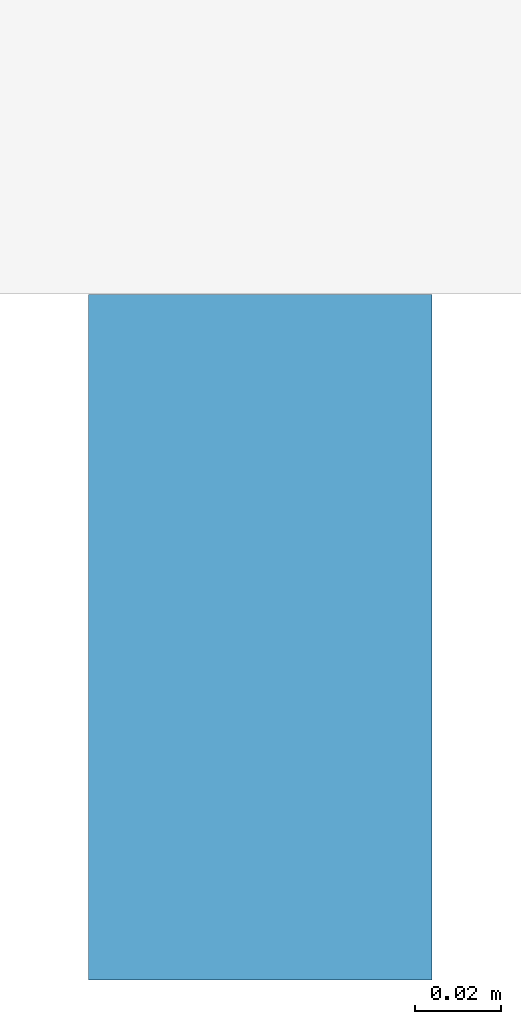
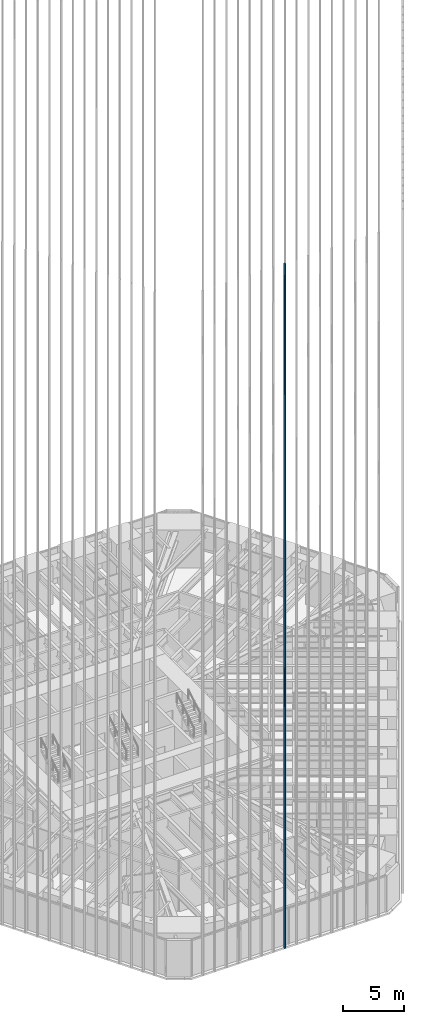
# One storey, part 37 of 256: 1 member, 1 element without a shape of its own.
"""IFC4 building model written with IfcOpenShell, lengths in metres."""

from ifc_helpers import new_model, si_unit, direction, frame, origin, origin_2d, place, context, subcontext, project, spatial, rectangle, extrude, material, material_profile, profile_set, type_object, element, aggregate, save


model = new_model("IFC4")

# Units and contexts
model_context = context("Model", 3, precision=1e-05, world=origin(), true_north=direction((0.0, 1.0)))
body_context = subcontext(model_context, "Body", "Model", "MODEL_VIEW")
ifc_project = project(units=[si_unit("LENGTHUNIT", "METRE"), si_unit("AREAUNIT", "SQUARE_METRE"), si_unit("VOLUMEUNIT", "CUBIC_METRE"), si_unit("PLANEANGLEUNIT", "RADIAN"), si_unit("MASSUNIT", "GRAM", prefix="KILO")], contexts=[model_context])

# Site, building, storey
site_placement = place(None, origin())
site = spatial("IfcSite", under=ifc_project, at=site_placement, CompositionType="ELEMENT")
building_placement = place(site_placement, origin())
building = spatial("IfcBuilding", under=site, at=building_placement, Name="Sandreach Pilgrim Tower", CompositionType="ELEMENT")
storey_placement = place(building_placement, frame((0.0, 0.0, 23.0)))
storey = spatial("IfcBuildingStorey", under=building, at=storey_placement, Name="L04", CompositionType="ELEMENT", Elevation=23.0)

# Curtain wall, member
ifc_material_1 = material(Name="Aluminium framed curtain wall", Category="aluminium")
curtain_wall_type = type_object("IfcCurtainWallType", Name="Hostel tower curtain wall", PredefinedType="NOTDEFINED", material=ifc_material_1)
curtain_wall_placement = place(storey_placement, origin())
curtain_wall = element("IfcCurtainWall", 1, at=curtain_wall_placement, inside=storey, type_object=curtain_wall_type, Name="CW-1 L04 S", PredefinedType="NOTDEFINED")
ifc_material_2 = material(Name="Extruded terracotta on aluminium core", Category="masonry")
ifc_material_profile = material_profile(ifc_material_2, rectangle(XDim=0.080078125, YDim=0.159912109375, at=origin_2d()), Name="TBS 80X160")
ifc_profile_set = profile_set([ifc_material_profile], Name="Extruded terracotta on aluminium core")
member_type = type_object("IfcMemberType", Name="Terracotta baguette south", PredefinedType="USERDEFINED", material=ifc_profile_set)
member_placement = place(storey_placement, frame((-0.552490234375, -30.390869140625, 0.0), z_axis=(0.0, 0.0, 1.0), x_axis=(-1.0, 0.0, 0.0)))
member = element("IfcMember", 2, at=member_placement, type_object=member_type, Name="Baguette Z1 S09", ObjectType="BAGUETTE", PredefinedType="USERDEFINED", context=body_context, shape_type="SweptSolid", body=[
    extrude(rectangle(XDim=0.080078125, YDim=0.159912109375, at=origin_2d()), origin(), (0.0, 0.0, 1.0), 68.239990234375),
])
aggregate(curtain_wall, [member])

save(model, "model.ifc")
